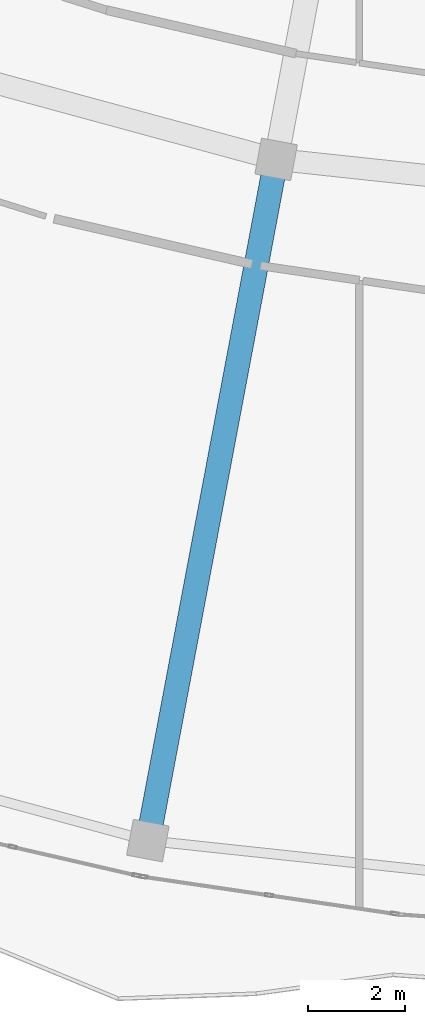
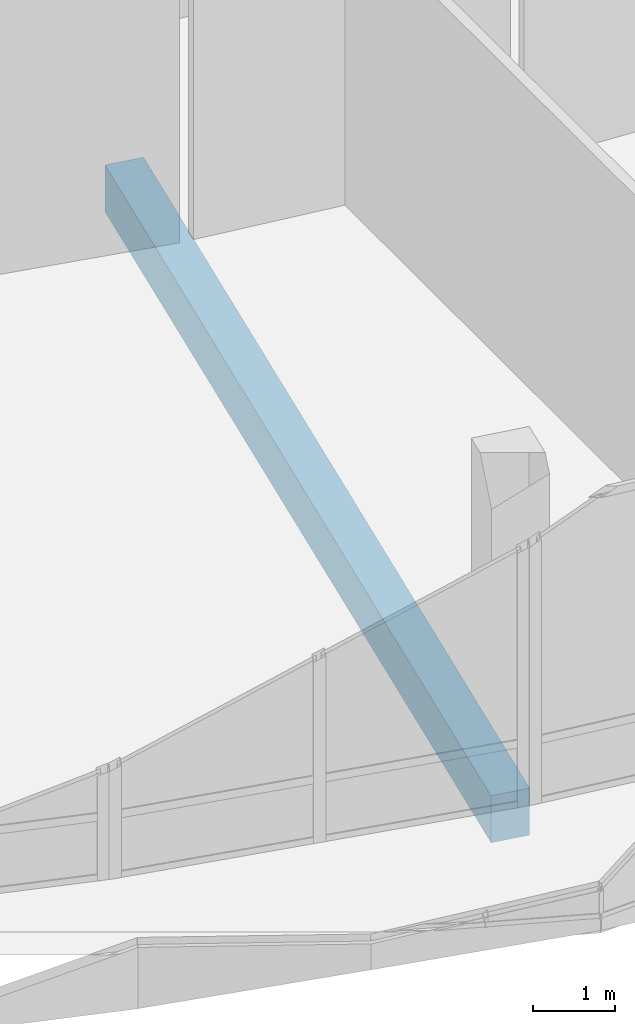
# One storey, part 23 of 168: 1 beam.
"""IFC4 building model written with IfcOpenShell, lengths in metres."""

from ifc_helpers import new_model, si_unit, direction, frame, origin, origin_2d, place, context, subcontext, project, spatial, rectangle, extrude, material, material_profile, profile_set, type_object, element, save


model = new_model("IFC4")

# Units and contexts
model_context = context("Model", 3, precision=1e-05, world=origin(), true_north=direction((0.0, 1.0)))
body_context = subcontext(model_context, "Body", "Model", "MODEL_VIEW")
ifc_project = project(units=[si_unit("LENGTHUNIT", "METRE"), si_unit("AREAUNIT", "SQUARE_METRE"), si_unit("VOLUMEUNIT", "CUBIC_METRE"), si_unit("PLANEANGLEUNIT", "RADIAN"), si_unit("MASSUNIT", "GRAM", prefix="KILO")], contexts=[model_context])

# Site, building, storey
site_placement = place(None, origin())
site = spatial("IfcSite", under=ifc_project, at=site_placement, CompositionType="ELEMENT")
building_placement = place(site_placement, origin())
building = spatial("IfcBuilding", under=site, at=building_placement, Name="Selatvlak General Hospital", CompositionType="ELEMENT")
storey_placement = place(building_placement, frame((0.0, 0.0, 5.39990234375)))
storey = spatial("IfcBuildingStorey", under=building, at=storey_placement, Name="L01", CompositionType="ELEMENT", Elevation=5.39990234375)

# Beam
ifc_material = material(Name="Concrete C40/50", Category="concrete")
ifc_material_profile = material_profile(ifc_material, rectangle(XDim=0.5, YDim=0.699951171875, at=origin_2d()), Name="RC-BM 500x700")
ifc_profile_set = profile_set([ifc_material_profile], Name="Concrete C40/50")
beam_type = type_object("IfcBeamType", Name="BM-G03", PredefinedType="BEAM", material=ifc_profile_set)
beam_placement = place(storey_placement, frame((46.2880859375, 27.906005859375, -0.669921875), z_axis=(-0.184983631041, -0.982741601972, 0.0), x_axis=(0.982741601972, -0.184983631041, 0.0)))
element("IfcBeam", 1, at=beam_placement, inside=storey, type_object=beam_type, Name="Beam BMR-L01-0722", PredefinedType="BEAM", context=body_context, shape_type="SweptSolid", body=[
    extrude(rectangle(XDim=0.5, YDim=0.699951171875, at=origin_2d()), origin(), (0.0, 0.0, 1.0), 14.249755859375),
])

save(model, "model.ifc")
